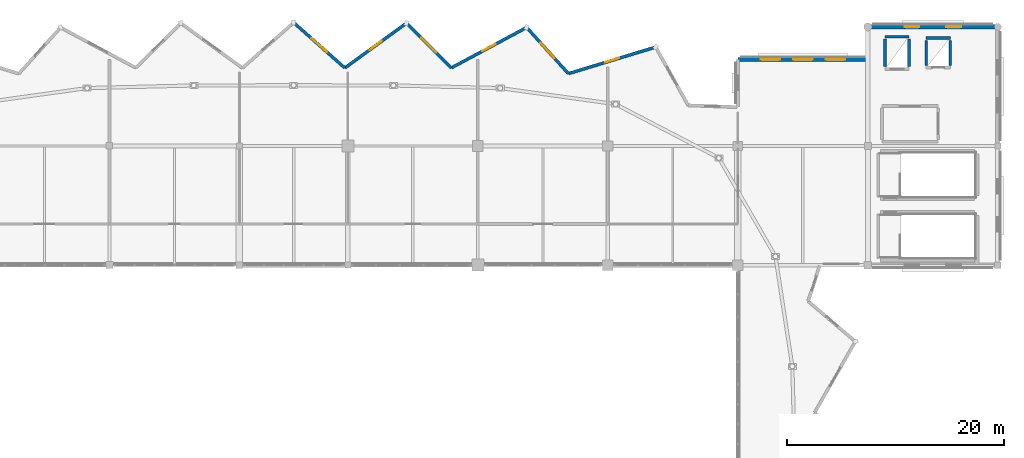
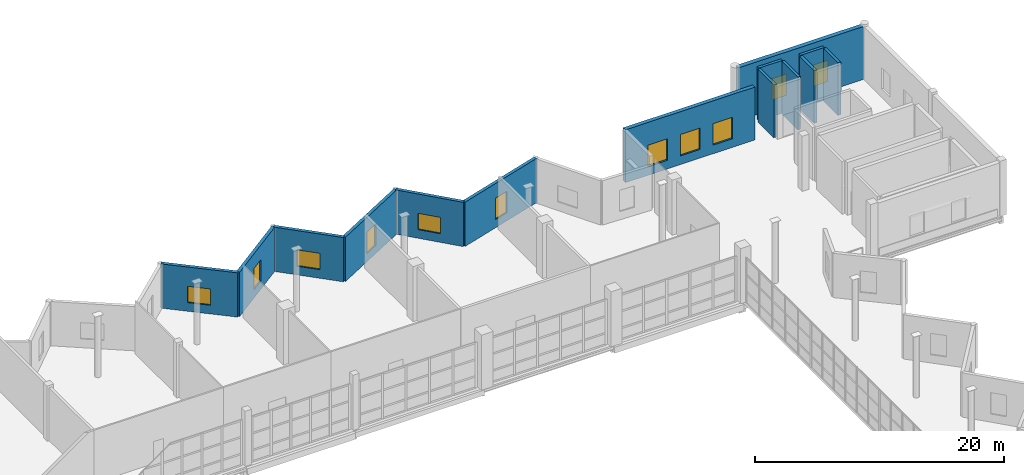
# One storey, part 44 of 49: 14 walls, 11 windows, 11 openings.
"""IFC4 building model written with IfcOpenShell, lengths in metres."""

from ifc_helpers import new_model, si_unit, direction, frame, frame_2d, origin, place, context, subcontext, project, spatial, rectangle, extrude, material, layer, layer_set, type_object, element, fill, save


model = new_model("IFC4")

# Units and contexts
model_context = context("Model", 3, precision=1e-05, world=origin(), true_north=direction((0.0, 1.0)))
body_context = subcontext(model_context, "Body", "Model", "MODEL_VIEW")
ifc_project = project(units=[si_unit("LENGTHUNIT", "METRE"), si_unit("AREAUNIT", "SQUARE_METRE"), si_unit("VOLUMEUNIT", "CUBIC_METRE"), si_unit("PLANEANGLEUNIT", "RADIAN"), si_unit("MASSUNIT", "GRAM", prefix="KILO")], contexts=[model_context])

# Site, building, storey
site_placement = place(None, origin())
site = spatial("IfcSite", under=ifc_project, at=site_placement, CompositionType="ELEMENT")
building_placement = place(site_placement, origin())
building = spatial("IfcBuilding", under=site, at=building_placement, Name="Luwafu Chhajja Arena", CompositionType="ELEMENT")
storey_placement = place(building_placement, frame((0.0, 0.0, 24.300048828125)))
storey = spatial("IfcBuildingStorey", under=building, at=storey_placement, Name="L05", CompositionType="ELEMENT", Elevation=24.300048828125)

# Walls
ifc_material_1 = material(Name="Concrete C35/45", Category="concrete")
ifc_layer_1 = layer(ifc_material_1, 0.260009765625, Name="Concrete C35/45")
ifc_layer_set_1 = layer_set([ifc_layer_1], Name="Concrete C35/45")
wall_type_1 = type_object("IfcWallType", Name="Lift and Riser Shaft Wall 260", PredefinedType="SOLIDWALL", material=ifc_layer_set_1)
wall_1_placement = place(storey_placement, frame((153.590087890625, 98.0849609375, 0.0), z_axis=(0.0, 0.0, 1.0), x_axis=(1.0, 0.0, 0.0)))
element("IfcWall", 1, at=wall_1_placement, inside=storey, type_object=wall_type_1, Name="L05 Lift LF-04 Shaft Wall N", PredefinedType="SOLIDWALL", context=body_context, shape_type="SweptSolid", body=[
    extrude(rectangle(XDim=2.219970703125, YDim=0.260009765625, at=frame_2d((1.10986328125, 0.0))), origin(), (0.0, 0.0, 1.0), 5.179931640625),
])
for number, where, z_axis, x_axis, name in (
    (2, (153.590087890625, 95.31494140625, 0.0), (0.0, 0.0, 1.0), (0.0, 1.0, 0.0), "L05 Lift LF-04 Shaft Wall W"),
    (3, (155.81005859375, 95.31494140625, 0.0), (0.0, 0.0, 1.0), (0.0, 1.0, 0.0), "L05 Lift LF-04 Shaft Wall E"),
):
    element("IfcWall", number, at=place(storey_placement, frame(where, z_axis=z_axis, x_axis=x_axis)), inside=storey, type_object=wall_type_1, Name=name, PredefinedType="SOLIDWALL", context=body_context, shape_type="SweptSolid", body=[
        extrude(rectangle(XDim=2.570068359375, YDim=0.260009765625, at=frame_2d((1.28515625, 0.0))), origin(), (0.0, 0.0, 1.0), 5.179931640625),
    ])
wall_2_placement = place(storey_placement, frame((157.389892578125, 97.9599609375, 0.0), z_axis=(0.0, 0.0, 1.0), x_axis=(1.0, 0.0, 0.0)))
element("IfcWall", 4, at=wall_2_placement, inside=storey, type_object=wall_type_1, Name="L05 Lift LF-08 Shaft Wall N", PredefinedType="SOLIDWALL", context=body_context, shape_type="SweptSolid", body=[
    extrude(rectangle(XDim=2.22021484375, YDim=0.260009765625, at=frame_2d((1.110107421875, 0.0))), origin(), (0.0, 0.0, 1.0), 5.179931640625),
])
for number, where, z_axis, x_axis, name in (
    (5, (157.389892578125, 95.43994140625, 0.0), (0.0, 0.0, 1.0), (0.0, 1.0, 0.0), "L05 Lift LF-08 Shaft Wall W"),
    (6, (159.610107421875, 95.43994140625, 0.0), (0.0, 0.0, 1.0), (0.0, 1.0, 0.0), "L05 Lift LF-08 Shaft Wall E"),
):
    element("IfcWall", number, at=place(storey_placement, frame(where, z_axis=z_axis, x_axis=x_axis)), inside=storey, type_object=wall_type_1, Name=name, PredefinedType="SOLIDWALL", context=body_context, shape_type="SweptSolid", body=[
        extrude(rectangle(XDim=2.320068359375, YDim=0.260009765625, at=frame_2d((1.16015625, 0.0))), origin(), (0.0, 0.0, 1.0), 5.179931640625),
    ])

# Wall, opening, window
ifc_material_2 = material(Name="Precast concrete C40/50", Category="concrete")
ifc_layer_2 = layer(ifc_material_2, 0.2900390625, Name="Precast concrete C40/50")
ifc_layer_set_2 = layer_set([ifc_layer_2], Name="Precast concrete C40/50")
wall_type_2 = type_object("IfcWallType", Name="Pleated Bowl Upper V-Fold Wall 290", PredefinedType="USERDEFINED", material=ifc_layer_set_2)
wall_3_placement = place(storey_placement, frame((132.427490234375, 97.135986328125, 0.0), z_axis=(0.0, 0.0, 1.0), x_axis=(-0.956738407321, -0.290949514446, 0.0)))
wall_3 = element("IfcWall", 7, at=wall_3_placement, inside=storey, type_object=wall_type_2, Name="L05 Pleated Bowl V-Fold Wall 11", ObjectType="PLEATED FACADE WALL", PredefinedType="USERDEFINED", context=body_context, shape_type="SweptSolid", body=[
    extrude(rectangle(XDim=8.427978515625, YDim=0.2900390625, at=frame_2d((4.2138671875, 0.0))), origin(), (0.0, 0.0, 1.0), 4.33984375),
])
opening_1_placement = place(wall_3_placement, frame((3.5390625, 0.0, 0.800048828125)))
opening_1 = element("IfcOpeningElement", 8, at=opening_1_placement, cuts=wall_3, Name="Opening WN-17", PredefinedType="OPENING", context=body_context, shape_type="SweptSolid", body=[
    extrude(rectangle(XDim=1.35009765625, YDim=2.10009765625, at=frame_2d((0.675048828125, 1.050048828125))), frame((0.0, 0.155029296875, 0.0), z_axis=(0.0, -1.0, 0.0), x_axis=(1.0, 0.0, 0.0)), (0.0, 0.0, 1.0), 0.31005859375),
])
ifc_material_3 = material(Name="Solar-control laminated glass", Category="glass")
window_type_1 = type_object("IfcWindowType", Name="Exhibition Mezzanine Lancet Window 1350x2100", PartitioningType="SINGLE_PANEL", PredefinedType="WINDOW", material=ifc_material_3)
window_1_placement = place(opening_1_placement, origin())
window_1 = element("IfcWindow", 9, at=window_1_placement, inside=storey, type_object=window_type_1, Name="L05 Pleated Bowl Lancet Window 137", OverallHeight=2.10009765625, OverallWidth=1.35009765625, PartitioningType="SINGLE_PANEL", PredefinedType="WINDOW", context=body_context, shape_type="SweptSolid", body=[
    extrude(rectangle(XDim=1.35009765625, YDim=2.10009765625, at=frame_2d((0.675048828125, 1.050048828125))), frame((0.0, 0.030029296875, 0.0), z_axis=(0.0, -1.0, 0.0), x_axis=(1.0, 0.0, 0.0)), (0.0, 0.0, 1.0), 0.06005859375),
])
fill(opening_1, window_1)

wall_4_placement = place(storey_placement, frame((124.364013671875, 94.683837890625, 0.0), z_axis=(0.0, 0.0, 1.0), x_axis=(-0.670348131104, 0.742046752654, 0.0)))
wall_4 = element("IfcWall", 10, at=wall_4_placement, inside=storey, type_object=wall_type_2, Name="L05 Pleated Bowl V-Fold Wall 12", ObjectType="PLEATED FACADE WALL", PredefinedType="USERDEFINED", context=body_context, shape_type="SweptSolid", body=[
    extrude(rectangle(XDim=5.747802734375, YDim=0.2900390625, at=frame_2d((2.8740234375, 0.0))), origin(), (0.0, 0.0, 1.0), 4.33984375),
])
opening_2_placement = place(wall_4_placement, frame((1.923828125, 0.0, 0.85009765625)))
opening_2 = element("IfcOpeningElement", 11, at=opening_2_placement, cuts=wall_4, Name="Opening WN-15", PredefinedType="OPENING", context=body_context, shape_type="SweptSolid", body=[
    extrude(rectangle(XDim=1.89990234375, YDim=1.60009765625, at=frame_2d((0.949951171875, 0.800048828125))), frame((0.0, 0.155029296875, 0.0), z_axis=(0.0, -1.0, 0.0), x_axis=(1.0, 0.0, 0.0)), (0.0, 0.0, 1.0), 0.31005859375),
])
window_type_2 = type_object("IfcWindowType", Name="Pleated Drum Inward-Fold Clerestory 1900x1600", PartitioningType="SINGLE_PANEL", PredefinedType="WINDOW", material=ifc_material_3)
window_2_placement = place(opening_2_placement, origin())
window_2 = element("IfcWindow", 12, at=window_2_placement, inside=storey, type_object=window_type_2, Name="L05 Pleated Bowl Lancet Window 138", OverallHeight=1.60009765625, OverallWidth=1.89990234375, PartitioningType="SINGLE_PANEL", PredefinedType="WINDOW", context=body_context, shape_type="SweptSolid", body=[
    extrude(rectangle(XDim=1.89990234375, YDim=1.60009765625, at=frame_2d((0.949951171875, 0.800048828125))), frame((0.0, 0.030029296875, 0.0), z_axis=(0.0, -1.0, 0.0), x_axis=(1.0, 0.0, 0.0)), (0.0, 0.0, 1.0), 0.06005859375),
])
fill(opening_2, window_2)

wall_5_placement = place(storey_placement, frame((120.510986328125, 98.948974609375, 0.0), z_axis=(0.0, 0.0, 1.0), x_axis=(-0.881201188687, -0.472741435731, 0.0)))
wall_5 = element("IfcWall", 13, at=wall_5_placement, inside=storey, type_object=wall_type_2, Name="L05 Pleated Bowl V-Fold Wall 13", ObjectType="PLEATED FACADE WALL", PredefinedType="USERDEFINED", context=body_context, shape_type="SweptSolid", body=[
    extrude(rectangle(XDim=7.880859375, YDim=0.2900390625, at=frame_2d((3.9404296875, 0.0))), origin(), (0.0, 0.0, 1.0), 4.33984375),
])
opening_3_placement = place(wall_5_placement, frame((3.265380859375, 0.0, 0.800048828125)))
opening_3 = element("IfcOpeningElement", 14, at=opening_3_placement, cuts=wall_5, Name="Opening WN-17", PredefinedType="OPENING", context=body_context, shape_type="SweptSolid", body=[
    extrude(rectangle(XDim=1.35009765625, YDim=2.10009765625, at=frame_2d((0.675048828125, 1.050048828125))), frame((0.0, 0.155029296875, 0.0), z_axis=(0.0, -1.0, 0.0), x_axis=(1.0, 0.0, 0.0)), (0.0, 0.0, 1.0), 0.31005859375),
])
window_3_placement = place(opening_3_placement, origin())
window_3 = element("IfcWindow", 15, at=window_3_placement, inside=storey, type_object=window_type_1, Name="L05 Pleated Bowl Lancet Window 139", OverallHeight=2.10009765625, OverallWidth=1.35009765625, PartitioningType="SINGLE_PANEL", PredefinedType="WINDOW", context=body_context, shape_type="SweptSolid", body=[
    extrude(rectangle(XDim=1.35009765625, YDim=2.10009765625, at=frame_2d((0.675048828125, 1.050048828125))), frame((0.0, 0.030029296875, 0.0), z_axis=(0.0, -1.0, 0.0), x_axis=(1.0, 0.0, 0.0)), (0.0, 0.0, 1.0), 0.06005859375),
])
fill(opening_3, window_3)

wall_6_placement = place(storey_placement, frame((113.56640625, 95.223388671875, 0.0), z_axis=(0.0, 0.0, 1.0), x_axis=(-0.710084208502, 0.704116763638, 0.0)))
wall_6 = element("IfcWall", 16, at=wall_6_placement, inside=storey, type_object=wall_type_2, Name="L05 Pleated Bowl V-Fold Wall 14", ObjectType="PLEATED FACADE WALL", PredefinedType="USERDEFINED", context=body_context, shape_type="SweptSolid", body=[
    extrude(rectangle(XDim=5.850341796875, YDim=0.2900390625, at=frame_2d((2.92529296875, 0.0))), origin(), (0.0, 0.0, 1.0), 4.33984375),
])
opening_4_placement = place(wall_6_placement, frame((1.97509765625, 0.0, 0.85009765625)))
opening_4 = element("IfcOpeningElement", 17, at=opening_4_placement, cuts=wall_6, Name="Opening WN-15", PredefinedType="OPENING", context=body_context, shape_type="SweptSolid", body=[
    extrude(rectangle(XDim=1.89990234375, YDim=1.60009765625, at=frame_2d((0.949951171875, 0.800048828125))), frame((0.0, 0.155029296875, 0.0), z_axis=(0.0, -1.0, 0.0), x_axis=(1.0, 0.0, 0.0)), (0.0, 0.0, 1.0), 0.31005859375),
])
window_4_placement = place(opening_4_placement, origin())
window_4 = element("IfcWindow", 18, at=window_4_placement, inside=storey, type_object=window_type_2, Name="L05 Pleated Bowl Lancet Window 140", OverallHeight=1.60009765625, OverallWidth=1.89990234375, PartitioningType="SINGLE_PANEL", PredefinedType="WINDOW", context=body_context, shape_type="SweptSolid", body=[
    extrude(rectangle(XDim=1.89990234375, YDim=1.60009765625, at=frame_2d((0.949951171875, 0.800048828125))), frame((0.0, 0.030029296875, 0.0), z_axis=(0.0, -1.0, 0.0), x_axis=(1.0, 0.0, 0.0)), (0.0, 0.0, 1.0), 0.06005859375),
])
fill(opening_4, window_4)

wall_7_placement = place(storey_placement, frame((109.412109375, 99.3427734375, 0.0), z_axis=(0.0, 0.0, 1.0), x_axis=(-0.808841233488, -0.588027090371, 0.0)))
wall_7 = element("IfcWall", 19, at=wall_7_placement, inside=storey, type_object=wall_type_2, Name="L05 Pleated Bowl V-Fold Wall 15", ObjectType="PLEATED FACADE WALL", PredefinedType="USERDEFINED", context=body_context, shape_type="SweptSolid", body=[
    extrude(rectangle(XDim=7.02734375, YDim=0.2900390625, at=frame_2d((3.513671875, 0.0))), origin(), (0.0, 0.0, 1.0), 4.33984375),
])
opening_5_placement = place(wall_7_placement, frame((2.838623046875, 0.0, 0.800048828125)))
opening_5 = element("IfcOpeningElement", 20, at=opening_5_placement, cuts=wall_7, Name="Opening WN-17", PredefinedType="OPENING", context=body_context, shape_type="SweptSolid", body=[
    extrude(rectangle(XDim=1.35009765625, YDim=2.10009765625, at=frame_2d((0.675048828125, 1.050048828125))), frame((0.0, 0.155029296875, 0.0), z_axis=(0.0, -1.0, 0.0), x_axis=(1.0, 0.0, 0.0)), (0.0, 0.0, 1.0), 0.31005859375),
])
window_5_placement = place(opening_5_placement, origin())
window_5 = element("IfcWindow", 21, at=window_5_placement, inside=storey, type_object=window_type_1, Name="L05 Pleated Bowl Lancet Window 141", OverallHeight=2.10009765625, OverallWidth=1.35009765625, PartitioningType="SINGLE_PANEL", PredefinedType="WINDOW", context=body_context, shape_type="SweptSolid", body=[
    extrude(rectangle(XDim=1.35009765625, YDim=2.10009765625, at=frame_2d((0.675048828125, 1.050048828125))), frame((0.0, 0.030029296875, 0.0), z_axis=(0.0, -1.0, 0.0), x_axis=(1.0, 0.0, 0.0)), (0.0, 0.0, 1.0), 0.06005859375),
])
fill(opening_5, window_5)

wall_8_placement = place(storey_placement, frame((103.72802734375, 95.21044921875, 0.0), z_axis=(0.0, 0.0, 1.0), x_axis=(-0.74844895461, 0.663192402205, 0.0)))
wall_8 = element("IfcWall", 22, at=wall_8_placement, inside=storey, type_object=wall_type_2, Name="L05 Pleated Bowl V-Fold Wall 16", ObjectType="PLEATED FACADE WALL", PredefinedType="USERDEFINED", context=body_context, shape_type="SweptSolid", body=[
    extrude(rectangle(XDim=6.317138671875, YDim=0.2900390625, at=frame_2d((3.15869140625, 0.0))), origin(), (0.0, 0.0, 1.0), 4.33984375),
])
opening_6_placement = place(wall_8_placement, frame((2.20849609375, 0.0, 0.85009765625)))
opening_6 = element("IfcOpeningElement", 23, at=opening_6_placement, cuts=wall_8, Name="Opening WN-15", PredefinedType="OPENING", context=body_context, shape_type="SweptSolid", body=[
    extrude(rectangle(XDim=1.89990234375, YDim=1.60009765625, at=frame_2d((0.949951171875, 0.800048828125))), frame((0.0, 0.155029296875, 0.0), z_axis=(0.0, -1.0, 0.0), x_axis=(1.0, 0.0, 0.0)), (0.0, 0.0, 1.0), 0.31005859375),
])
window_6_placement = place(opening_6_placement, origin())
window_6 = element("IfcWindow", 24, at=window_6_placement, inside=storey, type_object=window_type_2, Name="L05 Pleated Bowl Lancet Window 142", OverallHeight=1.60009765625, OverallWidth=1.89990234375, PartitioningType="SINGLE_PANEL", PredefinedType="WINDOW", context=body_context, shape_type="SweptSolid", body=[
    extrude(rectangle(XDim=1.89990234375, YDim=1.60009765625, at=frame_2d((0.949951171875, 0.800048828125))), frame((0.0, 0.030029296875, 0.0), z_axis=(0.0, -1.0, 0.0), x_axis=(1.0, 0.0, 0.0)), (0.0, 0.0, 1.0), 0.06005859375),
])
fill(opening_6, window_6)

# Wall, openings, windows
ifc_material_4 = material(Name="Concrete C40/50", Category="concrete")
ifc_layer_3 = layer(ifc_material_4, 0.39990234375, Name="Concrete C40/50")
ifc_layer_set_3 = layer_set([ifc_layer_3], Name="Concrete C40/50")
wall_type_3 = type_object("IfcWallType", Name="RC Core Shear Wall 400", PredefinedType="SOLIDWALL", material=ifc_layer_set_3)
wall_9_placement = place(storey_placement, frame((152.219970703125, 99.0, 0.0), z_axis=(0.0, 0.0, 1.0), x_axis=(1.0, 0.0, 0.0)))
wall_9 = element("IfcWall", 25, at=wall_9_placement, inside=storey, type_object=wall_type_3, Name="L05 Exterior Wall WEX-L05-252", PredefinedType="SOLIDWALL", context=body_context, shape_type="SweptSolid", body=[
    extrude(rectangle(XDim=11.56005859375, YDim=0.39990234375, at=frame_2d((5.780029296875, 0.0))), origin(), (0.0, 0.0, 1.0), 5.18505859375),
])
opening_7_placement = place(wall_9_placement, frame((3.17822265625, 0.0, 0.800048828125)))
opening_7 = element("IfcOpeningElement", 26, at=opening_7_placement, cuts=wall_9, Name="Opening WN-17", PredefinedType="OPENING", context=body_context, shape_type="SweptSolid", body=[
    extrude(rectangle(XDim=1.35009765625, YDim=2.10009765625, at=frame_2d((0.675048828125, 1.050048828125))), frame((0.0, 0.2099609375, 0.0), z_axis=(0.0, -1.0, 0.0), x_axis=(1.0, 0.0, 0.0)), (0.0, 0.0, 1.0), 0.419921875),
])
opening_8_placement = place(wall_9_placement, frame((7.03173828125, 0.0, 0.800048828125)))
opening_8 = element("IfcOpeningElement", 27, at=opening_8_placement, cuts=wall_9, Name="Opening WN-17", PredefinedType="OPENING", context=body_context, shape_type="SweptSolid", body=[
    extrude(rectangle(XDim=1.35009765625, YDim=2.10009765625, at=frame_2d((0.675048828125, 1.050048828125))), frame((0.0, 0.2099609375, 0.0), z_axis=(0.0, -1.0, 0.0), x_axis=(1.0, 0.0, 0.0)), (0.0, 0.0, 1.0), 0.419921875),
])
window_7_placement = place(opening_7_placement, origin())
window_7 = element("IfcWindow", 28, at=window_7_placement, inside=storey, type_object=window_type_1, Name="L05 Facade Window 248", OverallHeight=2.10009765625, OverallWidth=1.35009765625, PartitioningType="SINGLE_PANEL", PredefinedType="WINDOW", context=body_context, shape_type="SweptSolid", body=[
    extrude(rectangle(XDim=1.35009765625, YDim=2.10009765625, at=frame_2d((0.675048828125, 1.050048828125))), frame((0.0, 0.030029296875, 0.0), z_axis=(0.0, -1.0, 0.0), x_axis=(1.0, 0.0, 0.0)), (0.0, 0.0, 1.0), 0.06005859375),
])
fill(opening_7, window_7)
window_8_placement = place(opening_8_placement, origin())
window_8 = element("IfcWindow", 29, at=window_8_placement, inside=storey, type_object=window_type_1, Name="L05 Facade Window 249", OverallHeight=2.10009765625, OverallWidth=1.35009765625, PartitioningType="SINGLE_PANEL", PredefinedType="WINDOW", context=body_context, shape_type="SweptSolid", body=[
    extrude(rectangle(XDim=1.35009765625, YDim=2.10009765625, at=frame_2d((0.675048828125, 1.050048828125))), frame((0.0, 0.030029296875, 0.0), z_axis=(0.0, -1.0, 0.0), x_axis=(1.0, 0.0, 0.0)), (0.0, 0.0, 1.0), 0.06005859375),
])
fill(opening_8, window_8)

ifc_layer_4 = layer(ifc_material_1, 0.360107421875, Name="Concrete C35/45")
ifc_layer_set_4 = layer_set([ifc_layer_4], Name="Concrete C35/45")
wall_type_4 = type_object("IfcWallType", Name="Sandstone Backed Exterior Wall 360", PredefinedType="SOLIDWALL", material=ifc_layer_set_4)
wall_10_placement = place(storey_placement, frame((140.0, 96.0, 0.0), z_axis=(0.0, 0.0, 1.0), x_axis=(1.0, 0.0, 0.0)))
wall_10 = element("IfcWall", 30, at=wall_10_placement, inside=storey, type_object=wall_type_4, Name="L05 Exterior Wall WEX-L05-244", PredefinedType="SOLIDWALL", context=body_context, shape_type="SweptSolid", body=[
    extrude(rectangle(XDim=12.0, YDim=0.360107421875, at=frame_2d((6.0, 0.0))), origin(), (0.0, 0.0, 1.0), 5.18505859375),
])
opening_9_placement = place(wall_10_placement, frame((2.10009765625, 0.0, 0.85009765625)))
opening_9 = element("IfcOpeningElement", 31, at=opening_9_placement, cuts=wall_10, Name="Opening WN-01", PredefinedType="OPENING", context=body_context, shape_type="SweptSolid", body=[
    extrude(rectangle(XDim=1.800048828125, YDim=2.10009765625, at=frame_2d((0.89990234375, 1.050048828125))), frame((0.0, 0.18994140625, 0.0), z_axis=(0.0, -1.0, 0.0), x_axis=(1.0, 0.0, 0.0)), (0.0, 0.0, 1.0), 0.380126953125),
])
opening_10_placement = place(wall_10_placement, frame((5.10009765625, 0.0, 0.85009765625)))
opening_10 = element("IfcOpeningElement", 32, at=opening_10_placement, cuts=wall_10, Name="Opening WN-01", PredefinedType="OPENING", context=body_context, shape_type="SweptSolid", body=[
    extrude(rectangle(XDim=1.800048828125, YDim=2.10009765625, at=frame_2d((0.89990234375, 1.050048828125))), frame((0.0, 0.18994140625, 0.0), z_axis=(0.0, -1.0, 0.0), x_axis=(1.0, 0.0, 0.0)), (0.0, 0.0, 1.0), 0.380126953125),
])
opening_11_placement = place(wall_10_placement, frame((8.10009765625, 0.0, 0.85009765625)))
opening_11 = element("IfcOpeningElement", 33, at=opening_11_placement, cuts=wall_10, Name="Opening WN-01", PredefinedType="OPENING", context=body_context, shape_type="SweptSolid", body=[
    extrude(rectangle(XDim=1.800048828125, YDim=2.10009765625, at=frame_2d((0.89990234375, 1.050048828125))), frame((0.0, 0.18994140625, 0.0), z_axis=(0.0, -1.0, 0.0), x_axis=(1.0, 0.0, 0.0)), (0.0, 0.0, 1.0), 0.380126953125),
])
window_type_3 = type_object("IfcWindowType", Name="Mughal Deep-Reveal Punched Window 1800x2100", PartitioningType="SINGLE_PANEL", PredefinedType="WINDOW", material=ifc_material_3)
window_9_placement = place(opening_9_placement, origin())
window_9 = element("IfcWindow", 34, at=window_9_placement, inside=storey, type_object=window_type_3, Name="L05 Facade Window 232", OverallHeight=2.10009765625, OverallWidth=1.800048828125, PartitioningType="SINGLE_PANEL", PredefinedType="WINDOW", context=body_context, shape_type="SweptSolid", body=[
    extrude(rectangle(XDim=1.800048828125, YDim=2.10009765625, at=frame_2d((0.89990234375, 1.050048828125))), frame((0.0, 0.030029296875, 0.0), z_axis=(0.0, -1.0, 0.0), x_axis=(1.0, 0.0, 0.0)), (0.0, 0.0, 1.0), 0.06005859375),
])
fill(opening_9, window_9)
window_10_placement = place(opening_10_placement, origin())
window_10 = element("IfcWindow", 35, at=window_10_placement, inside=storey, type_object=window_type_3, Name="L05 Facade Window 233", OverallHeight=2.10009765625, OverallWidth=1.800048828125, PartitioningType="SINGLE_PANEL", PredefinedType="WINDOW", context=body_context, shape_type="SweptSolid", body=[
    extrude(rectangle(XDim=1.800048828125, YDim=2.10009765625, at=frame_2d((0.89990234375, 1.050048828125))), frame((0.0, 0.030029296875, 0.0), z_axis=(0.0, -1.0, 0.0), x_axis=(1.0, 0.0, 0.0)), (0.0, 0.0, 1.0), 0.06005859375),
])
fill(opening_10, window_10)
window_11_placement = place(opening_11_placement, origin())
window_11 = element("IfcWindow", 36, at=window_11_placement, inside=storey, type_object=window_type_3, Name="L05 Facade Window 234", OverallHeight=2.10009765625, OverallWidth=1.800048828125, PartitioningType="SINGLE_PANEL", PredefinedType="WINDOW", context=body_context, shape_type="SweptSolid", body=[
    extrude(rectangle(XDim=1.800048828125, YDim=2.10009765625, at=frame_2d((0.89990234375, 1.050048828125))), frame((0.0, 0.030029296875, 0.0), z_axis=(0.0, -1.0, 0.0), x_axis=(1.0, 0.0, 0.0)), (0.0, 0.0, 1.0), 0.06005859375),
])
fill(opening_11, window_11)

save(model, "model.ifc")
